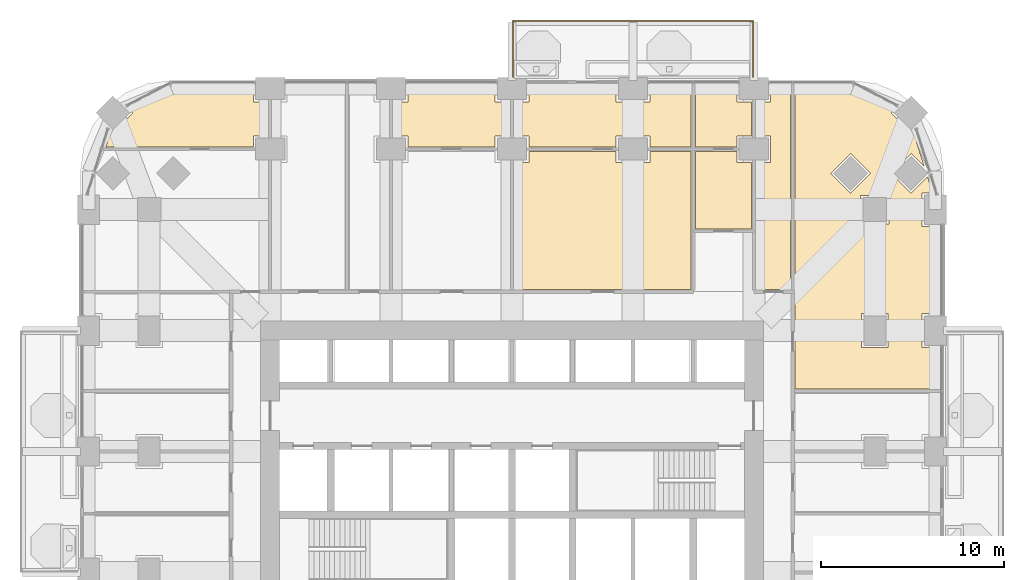
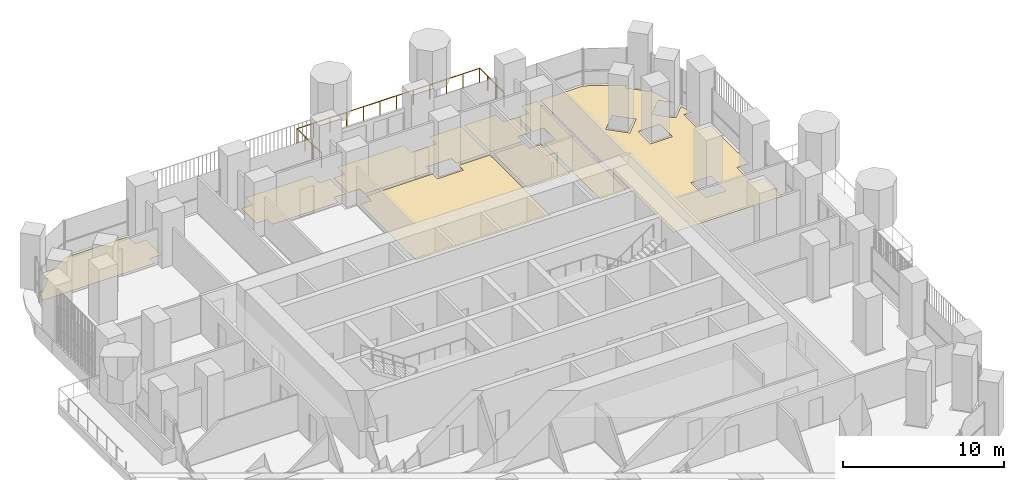
# One storey, part 22 of 23: 8 coverings, 1 railing.
"""IFC4 building model written with IfcOpenShell, lengths in metres."""

from ifc_helpers import new_model, si_unit, direction, frame, origin, place, context, subcontext, project, spatial, polyline, outline, extrude, material, layer, layer_set, type_object, element, save


model = new_model("IFC4")

# Units and contexts
model_context = context("Model", 3, precision=1e-05, world=origin(), true_north=direction((0.0, 1.0)))
body_context = subcontext(model_context, "Body", "Model", "MODEL_VIEW")
ifc_project = project(units=[si_unit("LENGTHUNIT", "METRE"), si_unit("AREAUNIT", "SQUARE_METRE"), si_unit("VOLUMEUNIT", "CUBIC_METRE"), si_unit("PLANEANGLEUNIT", "RADIAN"), si_unit("MASSUNIT", "GRAM", prefix="KILO")], contexts=[model_context])

# Site, building, storey
site_placement = place(None, origin())
site = spatial("IfcSite", under=ifc_project, at=site_placement, CompositionType="ELEMENT")
building_placement = place(site_placement, origin())
building = spatial("IfcBuilding", under=site, at=building_placement, Name="Cobogo Forest Laboratory Tower", CompositionType="ELEMENT")
storey_placement = place(building_placement, frame((0.0, 0.0, 103.199951171875)))
storey = spatial("IfcBuildingStorey", under=building, at=storey_placement, Name="L23", CompositionType="ELEMENT", Elevation=103.199951171875)

# Railing
ifc_material_1 = material(Name="Laminated glass balustrade", Category="glass")
railing_type = type_object("IfcRailingType", Name="BG1 glass balustrade 1100", PredefinedType="GUARDRAIL", material=ifc_material_1)
railing_placement = place(storey_placement, frame((26.449951171875, 46.85009765625, 0.0)))
element("IfcRailing", 1, at=railing_placement, inside=storey, type_object=railing_type, Name="Balcony balustrade BAL-N1 L23", PredefinedType="GUARDRAIL", context=body_context, shape_type="SweptSolid", body=[
    extrude(outline(polyline([(0.022216796875, 0.00927734375), (0.00927734375, 0.022216796875), (-0.00927734375, 0.022216796875), (-0.022216796875, 0.00927734375), (-0.022216796875, -0.00927734375), (-0.00927734375, -0.022216796875), (0.00927734375, -0.022216796875), (0.022216796875, -0.00927734375), (0.022216796875, 0.00927734375)])), frame((0.0, 0.0, 1.077880859375), z_axis=(0.0, 1.0, 0.0), x_axis=(-1.0, 0.0, 0.0)), (0.0, 0.0, 1.0), 3.0498046875),
    extrude(outline(polyline([(0.022216796875, 0.00927734375), (0.00927734375, 0.022216796875), (-0.00927734375, 0.022216796875), (-0.022216796875, 0.00927734375), (-0.022216796875, -0.00927734375), (-0.00927734375, -0.022216796875), (0.00927734375, -0.022216796875), (0.022216796875, -0.00927734375), (0.022216796875, 0.00927734375)])), frame((0.0, 3.0498046875, 1.077880859375), z_axis=(1.0, 0.0, 0.0), x_axis=(0.0, 1.0, 0.0)), (0.0, 0.0, 1.0), 13.10009765625),
    extrude(outline(polyline([(0.022216796875, 0.00927734375), (0.00927734375, 0.022216796875), (-0.00927734375, 0.022216796875), (-0.022216796875, 0.00927734375), (-0.022216796875, -0.00927734375), (-0.00927734375, -0.022216796875), (0.00927734375, -0.022216796875), (0.022216796875, -0.00927734375), (0.022216796875, 0.00927734375)])), frame((13.10009765625, 3.0498046875, 1.077880859375), z_axis=(0.0, -1.0, 0.0), x_axis=(1.0, 0.0, 0.0)), (0.0, 0.0, 1.0), 3.0498046875),
    extrude(outline(polyline([(0.019287109375, 0.008056640625), (0.008056640625, 0.019287109375), (-0.008056640625, 0.019287109375), (-0.019287109375, 0.008056640625), (-0.019287109375, -0.008056640625), (-0.008056640625, -0.019287109375), (0.008056640625, -0.019287109375), (0.019287109375, -0.008056640625), (0.019287109375, 0.008056640625)])), origin(), (0.0, 0.0, 1.0), 1.077880859375),
    extrude(outline(polyline([(0.019287109375, 0.008056640625), (0.008056640625, 0.019287109375), (-0.008056640625, 0.019287109375), (-0.019287109375, 0.008056640625), (-0.019287109375, -0.008056640625), (-0.008056640625, -0.019287109375), (0.008056640625, -0.019287109375), (0.019287109375, -0.008056640625), (0.019287109375, 0.008056640625)])), frame((0.0, 1.0166015625, 0.0)), (0.0, 0.0, 1.0), 1.077880859375),
    extrude(outline(polyline([(0.019287109375, 0.008056640625), (0.008056640625, 0.019287109375), (-0.008056640625, 0.019287109375), (-0.019287109375, 0.008056640625), (-0.019287109375, -0.008056640625), (-0.008056640625, -0.019287109375), (0.008056640625, -0.019287109375), (0.019287109375, -0.008056640625), (0.019287109375, 0.008056640625)])), frame((0.0, 2.033203125, 0.0)), (0.0, 0.0, 1.0), 1.077880859375),
    extrude(outline(polyline([(0.019287109375, 0.008056640625), (0.008056640625, 0.019287109375), (-0.008056640625, 0.019287109375), (-0.019287109375, 0.008056640625), (-0.019287109375, -0.008056640625), (-0.008056640625, -0.019287109375), (0.008056640625, -0.019287109375), (0.019287109375, -0.008056640625), (0.019287109375, 0.008056640625)])), frame((0.0, 3.0498046875, 0.0)), (0.0, 0.0, 1.0), 1.077880859375),
    extrude(outline(polyline([(0.019287109375, 0.008056640625), (0.008056640625, 0.019287109375), (-0.008056640625, 0.019287109375), (-0.019287109375, 0.008056640625), (-0.019287109375, -0.008056640625), (-0.008056640625, -0.019287109375), (0.008056640625, -0.019287109375), (0.019287109375, -0.008056640625), (0.019287109375, 0.008056640625)])), frame((1.19091796875, 3.0498046875, 0.0)), (0.0, 0.0, 1.0), 1.077880859375),
    extrude(outline(polyline([(0.019287109375, 0.008056640625), (0.008056640625, 0.019287109375), (-0.008056640625, 0.019287109375), (-0.019287109375, 0.008056640625), (-0.019287109375, -0.008056640625), (-0.008056640625, -0.019287109375), (0.008056640625, -0.019287109375), (0.019287109375, -0.008056640625), (0.019287109375, 0.008056640625)])), frame((2.3818359375, 3.0498046875, 0.0)), (0.0, 0.0, 1.0), 1.077880859375),
    extrude(outline(polyline([(0.019287109375, 0.008056640625), (0.008056640625, 0.019287109375), (-0.008056640625, 0.019287109375), (-0.019287109375, 0.008056640625), (-0.019287109375, -0.008056640625), (-0.008056640625, -0.019287109375), (0.008056640625, -0.019287109375), (0.019287109375, -0.008056640625), (0.019287109375, 0.008056640625)])), frame((3.57275390625, 3.0498046875, 0.0)), (0.0, 0.0, 1.0), 1.077880859375),
    extrude(outline(polyline([(0.019287109375, 0.008056640625), (0.008056640625, 0.019287109375), (-0.008056640625, 0.019287109375), (-0.019287109375, 0.008056640625), (-0.019287109375, -0.008056640625), (-0.008056640625, -0.019287109375), (0.008056640625, -0.019287109375), (0.019287109375, -0.008056640625), (0.019287109375, 0.008056640625)])), frame((4.763671875, 3.0498046875, 0.0)), (0.0, 0.0, 1.0), 1.077880859375),
    extrude(outline(polyline([(0.019287109375, 0.008056640625), (0.008056640625, 0.019287109375), (-0.008056640625, 0.019287109375), (-0.019287109375, 0.008056640625), (-0.019287109375, -0.008056640625), (-0.008056640625, -0.019287109375), (0.008056640625, -0.019287109375), (0.019287109375, -0.008056640625), (0.019287109375, 0.008056640625)])), frame((5.95458984375, 3.0498046875, 0.0)), (0.0, 0.0, 1.0), 1.077880859375),
    extrude(outline(polyline([(0.019287109375, 0.008056640625), (0.008056640625, 0.019287109375), (-0.008056640625, 0.019287109375), (-0.019287109375, 0.008056640625), (-0.019287109375, -0.008056640625), (-0.008056640625, -0.019287109375), (0.008056640625, -0.019287109375), (0.019287109375, -0.008056640625), (0.019287109375, 0.008056640625)])), frame((7.1455078125, 3.0498046875, 0.0)), (0.0, 0.0, 1.0), 1.077880859375),
    extrude(outline(polyline([(0.019287109375, 0.008056640625), (0.008056640625, 0.019287109375), (-0.008056640625, 0.019287109375), (-0.019287109375, 0.008056640625), (-0.019287109375, -0.008056640625), (-0.008056640625, -0.019287109375), (0.008056640625, -0.019287109375), (0.019287109375, -0.008056640625), (0.019287109375, 0.008056640625)])), frame((8.33642578125, 3.0498046875, 0.0)), (0.0, 0.0, 1.0), 1.077880859375),
    extrude(outline(polyline([(0.019287109375, 0.008056640625), (0.008056640625, 0.019287109375), (-0.008056640625, 0.019287109375), (-0.019287109375, 0.008056640625), (-0.019287109375, -0.008056640625), (-0.008056640625, -0.019287109375), (0.008056640625, -0.019287109375), (0.019287109375, -0.008056640625), (0.019287109375, 0.008056640625)])), frame((9.52734375, 3.0498046875, 0.0)), (0.0, 0.0, 1.0), 1.077880859375),
    extrude(outline(polyline([(0.019287109375, 0.008056640625), (0.008056640625, 0.019287109375), (-0.008056640625, 0.019287109375), (-0.019287109375, 0.008056640625), (-0.019287109375, -0.008056640625), (-0.008056640625, -0.019287109375), (0.008056640625, -0.019287109375), (0.019287109375, -0.008056640625), (0.019287109375, 0.008056640625)])), frame((10.71826171875, 3.0498046875, 0.0)), (0.0, 0.0, 1.0), 1.077880859375),
    extrude(outline(polyline([(0.019287109375, 0.008056640625), (0.008056640625, 0.019287109375), (-0.008056640625, 0.019287109375), (-0.019287109375, 0.008056640625), (-0.019287109375, -0.008056640625), (-0.008056640625, -0.019287109375), (0.008056640625, -0.019287109375), (0.019287109375, -0.008056640625), (0.019287109375, 0.008056640625)])), frame((11.9091796875, 3.0498046875, 0.0)), (0.0, 0.0, 1.0), 1.077880859375),
    extrude(outline(polyline([(0.019287109375, 0.008056640625), (0.008056640625, 0.019287109375), (-0.008056640625, 0.019287109375), (-0.019287109375, 0.008056640625), (-0.019287109375, -0.008056640625), (-0.008056640625, -0.019287109375), (0.008056640625, -0.019287109375), (0.019287109375, -0.008056640625), (0.019287109375, 0.008056640625)])), frame((13.10009765625, 3.0498046875, 0.0)), (0.0, 0.0, 1.0), 1.077880859375),
    extrude(outline(polyline([(0.019287109375, 0.008056640625), (0.008056640625, 0.019287109375), (-0.008056640625, 0.019287109375), (-0.019287109375, 0.008056640625), (-0.019287109375, -0.008056640625), (-0.008056640625, -0.019287109375), (0.008056640625, -0.019287109375), (0.019287109375, -0.008056640625), (0.019287109375, 0.008056640625)])), frame((13.10009765625, 2.033203125, 0.0)), (0.0, 0.0, 1.0), 1.077880859375),
    extrude(outline(polyline([(0.019287109375, 0.008056640625), (0.008056640625, 0.019287109375), (-0.008056640625, 0.019287109375), (-0.019287109375, 0.008056640625), (-0.019287109375, -0.008056640625), (-0.008056640625, -0.019287109375), (0.008056640625, -0.019287109375), (0.019287109375, -0.008056640625), (0.019287109375, 0.008056640625)])), frame((13.10009765625, 1.0166015625, 0.0)), (0.0, 0.0, 1.0), 1.077880859375),
    extrude(outline(polyline([(0.019287109375, 0.008056640625), (0.008056640625, 0.019287109375), (-0.008056640625, 0.019287109375), (-0.019287109375, 0.008056640625), (-0.019287109375, -0.008056640625), (-0.008056640625, -0.019287109375), (0.008056640625, -0.019287109375), (0.019287109375, -0.008056640625), (0.019287109375, 0.008056640625)])), frame((13.10009765625, 0.0, 0.0)), (0.0, 0.0, 1.0), 1.077880859375),
])

# Coverings
ifc_material_2 = material(Name="Carpet tile on raised access floor", Category="flooring")
ifc_layer_1 = layer(ifc_material_2, 0.008056640625)
ifc_layer_set_1 = layer_set([ifc_layer_1], Name="CT1 carpet tile floor 8")
covering_type_1 = type_object("IfcCoveringType", Name="CT1 carpet tile floor 8", PredefinedType="FLOORING", material=ifc_layer_set_1)
covering_1_placement = place(storey_placement, origin())
element("IfcCovering", 2, at=covering_1_placement, inside=storey, type_object=covering_type_1, Name="Carpet floor L23-14", PredefinedType="FLOORING", context=body_context, shape_type="SweptSolid", body=[
    extrude(outline(polyline([(41.844970703125, 46.35009765625), (44.95068359375, 46.35009765625), (47.3193359375, 45.1083984375), (47.093017578125, 44.882080078125), (48.181884765625, 43.79296875), (48.283935546875, 43.89501953125), (48.89599609375, 41.95703125), (48.181884765625, 42.6708984375), (47.093017578125, 41.58203125), (48.181884765625, 40.492919921875), (49.075927734375, 41.386962890625), (49.349853515625, 40.52001953125), (48.780029296875, 40.52001953125), (48.780029296875, 38.679931640625), (49.64990234375, 38.679931640625), (49.64990234375, 33.919921875), (48.780029296875, 33.919921875), (48.780029296875, 32.080078125), (49.64990234375, 32.080078125), (49.64990234375, 29.820068359375), (41.844970703125, 29.820068359375), (41.844970703125, 46.35009765625)]), holes=[polyline([(45.429931640625, 40.3701171875), (45.429931640625, 38.830078125), (46.969970703125, 38.830078125), (46.969970703125, 40.3701171875), (45.429931640625, 40.3701171875)]), polyline([(46.919921875, 32.080078125), (46.919921875, 33.919921875), (45.47998046875, 33.919921875), (45.47998046875, 32.080078125), (46.919921875, 32.080078125)]), polyline([(43.79296875, 41.58203125), (44.882080078125, 40.492919921875), (45.970947265625, 41.58203125), (44.882080078125, 42.6708984375), (43.79296875, 41.58203125)])]), origin(), (0.0, 0.0, 1.0), 0.008056640625),
])
covering_2_placement = place(storey_placement, origin())
element("IfcCovering", 3, at=covering_2_placement, inside=storey, type_object=covering_type_1, Name="Carpet floor L23-16", PredefinedType="FLOORING", context=body_context, shape_type="SweptSolid", body=[
    extrude(outline(polyline([(4.23974609375, 43.02001953125), (4.51611328125, 43.89501953125), (4.617919921875, 43.79296875), (5.70703125, 44.882080078125), (5.480712890625, 45.1083984375), (7.84912109375, 46.35009765625), (12.280029296875, 46.35009765625), (12.280029296875, 45.47998046875), (13.080078125, 45.47998046875), (13.080078125, 43.6201171875), (12.280029296875, 43.6201171875), (12.280029296875, 43.02001953125), (4.23974609375, 43.02001953125)])), origin(), (0.0, 0.0, 1.0), 0.008056640625),
])
covering_3_placement = place(storey_placement, origin())
element("IfcCovering", 4, at=covering_3_placement, inside=storey, type_object=covering_type_1, Name="Carpet floor L23-20", PredefinedType="FLOORING", context=body_context, shape_type="SweptSolid", body=[
    extrude(outline(polyline([(20.719970703125, 43.02001953125), (20.719970703125, 43.6201171875), (19.919921875, 43.6201171875), (19.919921875, 45.47998046875), (20.719970703125, 45.47998046875), (20.719970703125, 46.35009765625), (25.47998046875, 46.35009765625), (25.47998046875, 45.47998046875), (26.280029296875, 45.47998046875), (26.280029296875, 43.6201171875), (25.47998046875, 43.6201171875), (25.47998046875, 43.02001953125), (20.719970703125, 43.02001953125)])), origin(), (0.0, 0.0, 1.0), 0.008056640625),
])
covering_4_placement = place(storey_placement, origin())
element("IfcCovering", 5, at=covering_4_placement, inside=storey, type_object=covering_type_1, Name="Carpet floor L23-22", PredefinedType="FLOORING", context=body_context, shape_type="SweptSolid", body=[
    extrude(outline(polyline([(33.919921875, 43.02001953125), (33.919921875, 43.6201171875), (32.080078125, 43.6201171875), (32.080078125, 43.02001953125), (27.320068359375, 43.02001953125), (27.320068359375, 43.6201171875), (26.52001953125, 43.6201171875), (26.52001953125, 45.47998046875), (27.320068359375, 45.47998046875), (27.320068359375, 46.35009765625), (32.080078125, 46.35009765625), (32.080078125, 45.47998046875), (33.919921875, 45.47998046875), (33.919921875, 46.35009765625), (36.179931640625, 46.35009765625), (36.179931640625, 43.02001953125), (33.919921875, 43.02001953125)])), origin(), (0.0, 0.0, 1.0), 0.008056640625),
])
covering_5_placement = place(storey_placement, origin())
element("IfcCovering", 6, at=covering_5_placement, inside=storey, type_object=covering_type_1, Name="Carpet floor L23-23", PredefinedType="FLOORING", context=body_context, shape_type="SweptSolid", body=[
    extrude(outline(polyline([(36.419921875, 42.780029296875), (38.679931640625, 42.780029296875), (38.679931640625, 42.179931640625), (39.47998046875, 42.179931640625), (39.47998046875, 38.544921875), (36.419921875, 38.544921875), (36.419921875, 42.780029296875)])), origin(), (0.0, 0.0, 1.0), 0.008056640625),
])
covering_6_placement = place(storey_placement, origin())
element("IfcCovering", 7, at=covering_6_placement, inside=storey, type_object=covering_type_1, Name="Carpet floor L23-24", PredefinedType="FLOORING", context=body_context, shape_type="SweptSolid", body=[
    extrude(outline(polyline([(36.419921875, 43.02001953125), (36.419921875, 46.35009765625), (38.679931640625, 46.35009765625), (38.679931640625, 45.47998046875), (39.47998046875, 45.47998046875), (39.47998046875, 43.6201171875), (38.679931640625, 43.6201171875), (38.679931640625, 43.02001953125), (36.419921875, 43.02001953125)])), origin(), (0.0, 0.0, 1.0), 0.008056640625),
])
covering_7_placement = place(storey_placement, origin())
element("IfcCovering", 8, at=covering_7_placement, inside=storey, type_object=covering_type_1, Name="Carpet floor L23-25", PredefinedType="FLOORING", context=body_context, shape_type="SweptSolid", body=[
    extrude(outline(polyline([(39.719970703125, 35.2451171875), (39.719970703125, 42.179931640625), (40.52001953125, 42.179931640625), (40.52001953125, 43.6201171875), (39.719970703125, 43.6201171875), (39.719970703125, 45.47998046875), (40.52001953125, 45.47998046875), (40.52001953125, 46.35009765625), (41.60498046875, 46.35009765625), (41.60498046875, 35.2451171875), (39.719970703125, 35.2451171875)])), origin(), (0.0, 0.0, 1.0), 0.008056640625),
])
ifc_material_3 = material(Name="Epoxy resin flooring", Category="flooring")
ifc_layer_2 = layer(ifc_material_3, 0.00390625)
ifc_layer_set_2 = layer_set([ifc_layer_2], Name="LF1 epoxy laboratory floor 4")
covering_type_2 = type_object("IfcCoveringType", Name="LF1 epoxy laboratory floor 4", PredefinedType="FLOORING", material=ifc_layer_set_2)
covering_8_placement = place(storey_placement, origin())
element("IfcCovering", 9, at=covering_8_placement, inside=storey, type_object=covering_type_2, Name="Epoxy laboratory floor L23-21", PredefinedType="FLOORING", context=body_context, shape_type="SweptSolid", body=[
    extrude(outline(polyline([(26.52001953125, 42.179931640625), (27.320068359375, 42.179931640625), (27.320068359375, 42.780029296875), (32.080078125, 42.780029296875), (32.080078125, 42.179931640625), (33.919921875, 42.179931640625), (33.919921875, 42.780029296875), (36.179931640625, 42.780029296875), (36.179931640625, 35.2451171875), (26.52001953125, 35.2451171875), (26.52001953125, 42.179931640625)])), origin(), (0.0, 0.0, 1.0), 0.004150390625),
])

save(model, "model.ifc")
